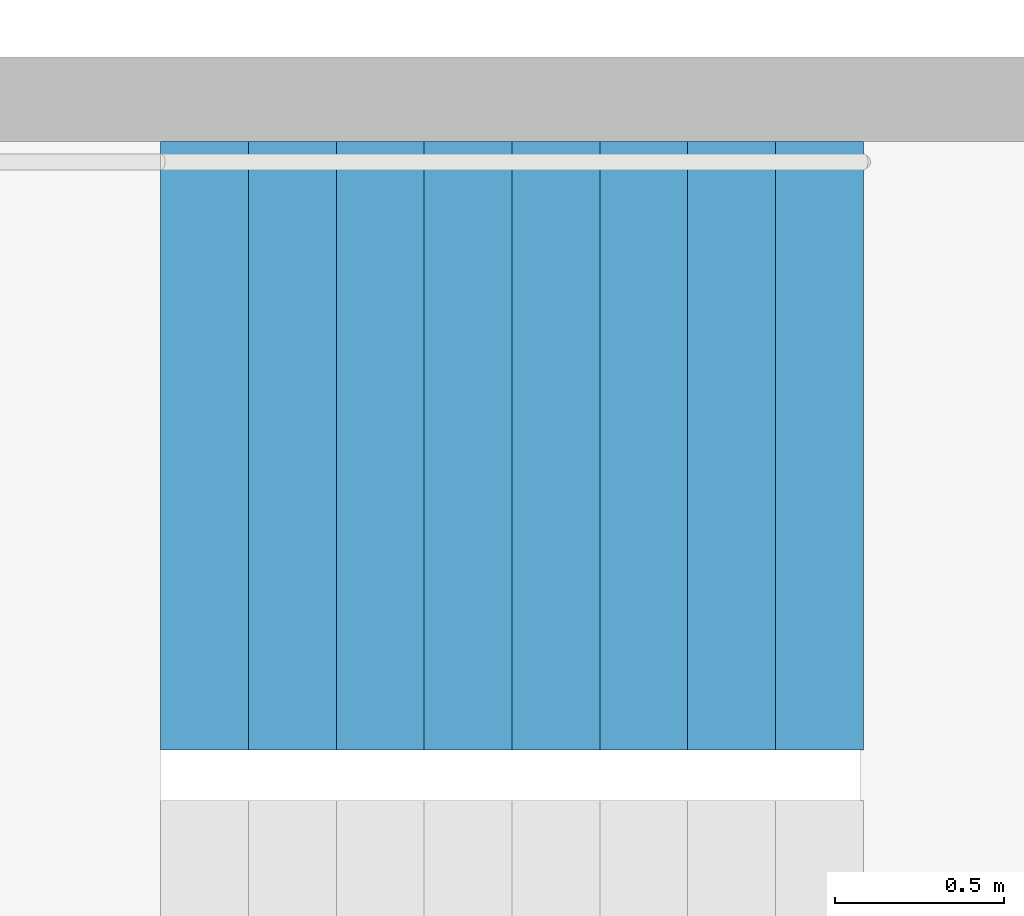
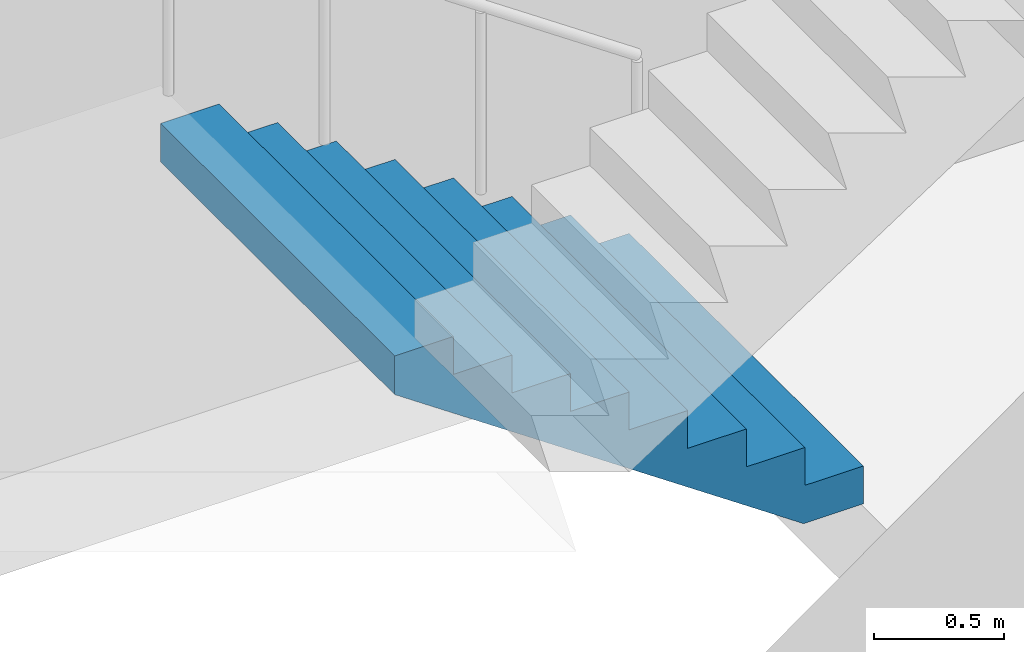
# One storey, part 17 of 28: 1 stair flight, 1 element without a shape of its own.
"""IFC4 building model written with IfcOpenShell, lengths in metres."""

from ifc_helpers import new_model, si_unit, direction, frame, origin, place, context, subcontext, project, spatial, triangles, material, type_object, element, aggregate, save


model = new_model("IFC4")

# Units and contexts
model_context = context("Model", 3, precision=1e-05, world=origin(), true_north=direction((0.0, 1.0)))
body_context = subcontext(model_context, "Body", "Model", "MODEL_VIEW")
ifc_project = project(units=[si_unit("LENGTHUNIT", "METRE"), si_unit("AREAUNIT", "SQUARE_METRE"), si_unit("VOLUMEUNIT", "CUBIC_METRE"), si_unit("PLANEANGLEUNIT", "RADIAN"), si_unit("MASSUNIT", "GRAM", prefix="KILO")], contexts=[model_context])

# Site, building, storey
site_placement = place(None, origin())
site = spatial("IfcSite", under=ifc_project, at=site_placement, CompositionType="ELEMENT")
building_placement = place(site_placement, origin())
building = spatial("IfcBuilding", under=site, at=building_placement, Name="Hakoniwa Tower and Hamabe Station Hall", CompositionType="ELEMENT")
storey_placement = place(building_placement, frame((0.0, 0.0, 193.0)))
storey = spatial("IfcBuildingStorey", under=building, at=storey_placement, Name="L54", CompositionType="ELEMENT", Elevation=193.0)

# Stair, stair flight
ifc_material_1 = material(Name="Concrete C40", Category="concrete")
stair_type = type_object("IfcStairType", Name="ESCAPE STAIR 1800", PredefinedType="HALF_TURN_STAIR", material=ifc_material_1)
stair_placement = place(storey_placement, origin())
stair = element("IfcStair", 1, at=stair_placement, inside=storey, type_object=stair_type, Name="Escape stair ST-2 L54", PredefinedType="HALF_TURN_STAIR")
ifc_material_2 = material(Name="Concrete C40", Category="concrete")
stair_flight_type = type_object("IfcStairFlightType", Name="STAIR FLIGHT 1800", PredefinedType="STRAIGHT", material=ifc_material_2)
stair_flight_placement = place(storey_placement, frame((-23.39990234375, -4.64990234375, 0.0), z_axis=(0.0, 0.0, 1.0), x_axis=(-1.0, 0.0, 0.0)))
stair_flight = element("IfcStairFlight", 2, at=stair_flight_placement, type_object=stair_flight_type, Name="ST-2 flight 1", NumberOfRisers=9, NumberOfTreads=8, PredefinedType="STRAIGHT", RiserHeight=0.177777778, TreadLength=0.26, context=body_context, shape_type="Tessellation", body=[
    triangles([(0.0, 0.89990234375, 0.0), (0.260009765625, 0.89990234375, 0.0), (0.265625, 0.89990234375, 0.0), (0.52001953125, 0.89990234375, 0.174072265625), (0.780029296875, 0.89990234375, 0.351806640625), (1.0400390625, 0.89990234375, 0.529541015625), (1.300048828125, 0.89990234375, 0.707275390625), (1.56005859375, 0.89990234375, 0.885009765625), (1.820068359375, 0.89990234375, 1.062744140625), (2.080078125, 0.89990234375, 1.24072265625), (2.080078125, 0.89990234375, 1.422119140625), (1.820068359375, 0.89990234375, 1.422119140625), (1.820068359375, 0.89990234375, 1.244384765625), (1.56005859375, 0.89990234375, 1.244384765625), (1.56005859375, 0.89990234375, 1.066650390625), (1.300048828125, 0.89990234375, 1.066650390625), (1.300048828125, 0.89990234375, 0.888916015625), (1.0400390625, 0.89990234375, 0.888916015625), (1.0400390625, 0.89990234375, 0.711181640625), (0.780029296875, 0.89990234375, 0.711181640625), (0.780029296875, 0.89990234375, 0.533447265625), (0.52001953125, 0.89990234375, 0.533447265625), (0.52001953125, 0.89990234375, 0.35546875), (0.265625, 0.89990234375, 0.35546875), (0.260009765625, 0.89990234375, 0.35546875), (0.260009765625, 0.89990234375, 0.177734375), (0.0, 0.89990234375, 0.177734375), (0.0, 0.06005859375, 0.0), (0.260009765625, 0.06005859375, 0.0), (0.265625, 0.06005859375, 0.0), (0.52001953125, 0.06005859375, 0.174072265625), (0.780029296875, 0.06005859375, 0.351806640625), (1.0400390625, 0.06005859375, 0.529541015625), (1.300048828125, 0.06005859375, 0.707275390625), (1.56005859375, 0.06005859375, 0.885009765625), (1.820068359375, 0.06005859375, 1.062744140625), (2.080078125, 0.06005859375, 1.24072265625), (2.080078125, 0.06005859375, 1.422119140625), (1.820068359375, 0.06005859375, 1.422119140625), (1.820068359375, 0.06005859375, 1.244384765625), (1.56005859375, 0.06005859375, 1.244384765625), (1.56005859375, 0.06005859375, 1.066650390625), (1.300048828125, 0.06005859375, 1.066650390625), (1.300048828125, 0.06005859375, 0.888916015625), (1.0400390625, 0.06005859375, 0.888916015625), (1.0400390625, 0.06005859375, 0.711181640625), (0.780029296875, 0.06005859375, 0.711181640625), (0.780029296875, 0.06005859375, 0.533447265625), (0.52001953125, 0.06005859375, 0.533447265625), (0.52001953125, 0.06005859375, 0.35546875), (0.265625, 0.06005859375, 0.35546875), (0.260009765625, 0.06005859375, 0.35546875), (0.260009765625, 0.06005859375, 0.177734375), (0.0, 0.06005859375, 0.177734375), (0.0, 0.04296875, 0.0), (0.260009765625, 0.04296875, 0.0), (0.265625, 0.04296875, 0.0), (0.52001953125, 0.04296875, 0.174072265625), (0.780029296875, 0.04296875, 0.351806640625), (1.0400390625, 0.04296875, 0.529541015625), (1.300048828125, 0.04296875, 0.707275390625), (1.56005859375, 0.04296875, 0.885009765625), (1.820068359375, 0.04296875, 1.062744140625), (2.080078125, 0.04296875, 1.24072265625), (2.080078125, 0.04296875, 1.422119140625), (1.820068359375, 0.04296875, 1.422119140625), (1.820068359375, 0.04296875, 1.244384765625), (1.56005859375, 0.04296875, 1.244384765625), (1.56005859375, 0.04296875, 1.066650390625), (1.300048828125, 0.04296875, 1.066650390625), (1.300048828125, 0.04296875, 0.888916015625), (1.0400390625, 0.04296875, 0.888916015625), (1.0400390625, 0.04296875, 0.711181640625), (0.780029296875, 0.04296875, 0.711181640625), (0.780029296875, 0.04296875, 0.533447265625), (0.52001953125, 0.04296875, 0.533447265625), (0.52001953125, 0.04296875, 0.35546875), (0.265625, 0.04296875, 0.35546875), (0.260009765625, 0.04296875, 0.35546875), (0.260009765625, 0.04296875, 0.177734375), (0.0, 0.04296875, 0.177734375), (0.0, 0.025634765625, 0.0), (0.260009765625, 0.025634765625, 0.0), (0.265625, 0.025634765625, 0.0), (0.52001953125, 0.025634765625, 0.174072265625), (0.780029296875, 0.025634765625, 0.351806640625), (1.0400390625, 0.025634765625, 0.529541015625), (1.300048828125, 0.025634765625, 0.707275390625), (1.56005859375, 0.025634765625, 0.885009765625), (1.820068359375, 0.025634765625, 1.062744140625), (2.080078125, 0.025634765625, 1.24072265625), (2.080078125, 0.025634765625, 1.422119140625), (1.820068359375, 0.025634765625, 1.422119140625), (1.820068359375, 0.025634765625, 1.244384765625), (1.56005859375, 0.025634765625, 1.244384765625), (1.56005859375, 0.025634765625, 1.066650390625), (1.300048828125, 0.025634765625, 1.066650390625), (1.300048828125, 0.025634765625, 0.888916015625), (1.0400390625, 0.025634765625, 0.888916015625), (1.0400390625, 0.025634765625, 0.711181640625), (0.780029296875, 0.025634765625, 0.711181640625), (0.780029296875, 0.025634765625, 0.533447265625), (0.52001953125, 0.025634765625, 0.533447265625), (0.52001953125, 0.025634765625, 0.35546875), (0.265625, 0.025634765625, 0.35546875), (0.260009765625, 0.025634765625, 0.35546875), (0.260009765625, 0.025634765625, 0.177734375), (0.0, 0.025634765625, 0.177734375), (0.0, 0.008544921875, 0.0), (0.260009765625, 0.008544921875, 0.0), (0.265625, 0.008544921875, 0.0), (0.52001953125, 0.008544921875, 0.174072265625), (0.780029296875, 0.008544921875, 0.351806640625), (1.0400390625, 0.008544921875, 0.529541015625), (1.300048828125, 0.008544921875, 0.707275390625), (1.56005859375, 0.008544921875, 0.885009765625), (1.820068359375, 0.008544921875, 1.062744140625), (2.080078125, 0.008544921875, 1.24072265625), (2.080078125, 0.008544921875, 1.422119140625), (1.820068359375, 0.008544921875, 1.422119140625), (1.820068359375, 0.008544921875, 1.244384765625), (1.56005859375, 0.008544921875, 1.244384765625), (1.56005859375, 0.008544921875, 1.066650390625), (1.300048828125, 0.008544921875, 1.066650390625), (1.300048828125, 0.008544921875, 0.888916015625), (1.0400390625, 0.008544921875, 0.888916015625), (1.0400390625, 0.008544921875, 0.711181640625), (0.780029296875, 0.008544921875, 0.711181640625), (0.780029296875, 0.008544921875, 0.533447265625), (0.52001953125, 0.008544921875, 0.533447265625), (0.52001953125, 0.008544921875, 0.35546875), (0.265625, 0.008544921875, 0.35546875), (0.260009765625, 0.008544921875, 0.35546875), (0.260009765625, 0.008544921875, 0.177734375), (0.0, 0.008544921875, 0.177734375), (0.0, -0.008544921875, 0.0), (0.260009765625, -0.008544921875, 0.0), (0.265625, -0.008544921875, 0.0), (0.52001953125, -0.008544921875, 0.174072265625), (0.780029296875, -0.008544921875, 0.351806640625), (1.0400390625, -0.008544921875, 0.529541015625), (1.300048828125, -0.008544921875, 0.707275390625), (1.56005859375, -0.008544921875, 0.885009765625), (1.820068359375, -0.008544921875, 1.062744140625), (2.080078125, -0.008544921875, 1.24072265625), (2.080078125, -0.008544921875, 1.422119140625), (1.820068359375, -0.008544921875, 1.422119140625), (1.820068359375, -0.008544921875, 1.244384765625), (1.56005859375, -0.008544921875, 1.244384765625), (1.56005859375, -0.008544921875, 1.066650390625), (1.300048828125, -0.008544921875, 1.066650390625), (1.300048828125, -0.008544921875, 0.888916015625), (1.0400390625, -0.008544921875, 0.888916015625), (1.0400390625, -0.008544921875, 0.711181640625), (0.780029296875, -0.008544921875, 0.711181640625), (0.780029296875, -0.008544921875, 0.533447265625), (0.52001953125, -0.008544921875, 0.533447265625), (0.52001953125, -0.008544921875, 0.35546875), (0.265625, -0.008544921875, 0.35546875), (0.260009765625, -0.008544921875, 0.35546875), (0.260009765625, -0.008544921875, 0.177734375), (0.0, -0.008544921875, 0.177734375), (0.0, -0.025634765625, 0.0), (0.260009765625, -0.025634765625, 0.0), (0.265625, -0.025634765625, 0.0), (0.52001953125, -0.025634765625, 0.174072265625), (0.780029296875, -0.025634765625, 0.351806640625), (1.0400390625, -0.025634765625, 0.529541015625), (1.300048828125, -0.025634765625, 0.707275390625), (1.56005859375, -0.025634765625, 0.885009765625), (1.820068359375, -0.025634765625, 1.062744140625), (2.080078125, -0.025634765625, 1.24072265625), (2.080078125, -0.025634765625, 1.422119140625), (1.820068359375, -0.025634765625, 1.422119140625), (1.820068359375, -0.025634765625, 1.244384765625), (1.56005859375, -0.025634765625, 1.244384765625), (1.56005859375, -0.025634765625, 1.066650390625), (1.300048828125, -0.025634765625, 1.066650390625), (1.300048828125, -0.025634765625, 0.888916015625), (1.0400390625, -0.025634765625, 0.888916015625), (1.0400390625, -0.025634765625, 0.711181640625), (0.780029296875, -0.025634765625, 0.711181640625), (0.780029296875, -0.025634765625, 0.533447265625), (0.52001953125, -0.025634765625, 0.533447265625), (0.52001953125, -0.025634765625, 0.35546875), (0.265625, -0.025634765625, 0.35546875), (0.260009765625, -0.025634765625, 0.35546875), (0.260009765625, -0.025634765625, 0.177734375), (0.0, -0.025634765625, 0.177734375), (0.0, -0.04296875, 0.0), (0.260009765625, -0.04296875, 0.0), (0.265625, -0.04296875, 0.0), (0.52001953125, -0.04296875, 0.174072265625), (0.780029296875, -0.04296875, 0.351806640625), (1.0400390625, -0.04296875, 0.529541015625), (1.300048828125, -0.04296875, 0.707275390625), (1.56005859375, -0.04296875, 0.885009765625), (1.820068359375, -0.04296875, 1.062744140625), (2.080078125, -0.04296875, 1.24072265625), (2.080078125, -0.04296875, 1.422119140625), (1.820068359375, -0.04296875, 1.422119140625), (1.820068359375, -0.04296875, 1.244384765625), (1.56005859375, -0.04296875, 1.244384765625), (1.56005859375, -0.04296875, 1.066650390625), (1.300048828125, -0.04296875, 1.066650390625), (1.300048828125, -0.04296875, 0.888916015625), (1.0400390625, -0.04296875, 0.888916015625), (1.0400390625, -0.04296875, 0.711181640625), (0.780029296875, -0.04296875, 0.711181640625), (0.780029296875, -0.04296875, 0.533447265625), (0.52001953125, -0.04296875, 0.533447265625), (0.52001953125, -0.04296875, 0.35546875), (0.265625, -0.04296875, 0.35546875), (0.260009765625, -0.04296875, 0.35546875), (0.260009765625, -0.04296875, 0.177734375), (0.0, -0.04296875, 0.177734375), (0.0, -0.06005859375, 0.0), (0.260009765625, -0.06005859375, 0.0), (0.265625, -0.06005859375, 0.0), (0.52001953125, -0.06005859375, 0.174072265625), (0.780029296875, -0.06005859375, 0.351806640625), (1.0400390625, -0.06005859375, 0.529541015625), (1.300048828125, -0.06005859375, 0.707275390625), (1.56005859375, -0.06005859375, 0.885009765625), (1.820068359375, -0.06005859375, 1.062744140625), (2.080078125, -0.06005859375, 1.24072265625), (2.080078125, -0.06005859375, 1.422119140625), (1.820068359375, -0.06005859375, 1.422119140625), (1.820068359375, -0.06005859375, 1.244384765625), (1.56005859375, -0.06005859375, 1.244384765625), (1.56005859375, -0.06005859375, 1.066650390625), (1.300048828125, -0.06005859375, 1.066650390625), (1.300048828125, -0.06005859375, 0.888916015625), (1.0400390625, -0.06005859375, 0.888916015625), (1.0400390625, -0.06005859375, 0.711181640625), (0.780029296875, -0.06005859375, 0.711181640625), (0.780029296875, -0.06005859375, 0.533447265625), (0.52001953125, -0.06005859375, 0.533447265625), (0.52001953125, -0.06005859375, 0.35546875), (0.265625, -0.06005859375, 0.35546875), (0.260009765625, -0.06005859375, 0.35546875), (0.260009765625, -0.06005859375, 0.177734375), (0.0, -0.06005859375, 0.177734375), (0.0, -0.89990234375, 0.0), (0.260009765625, -0.89990234375, 0.0), (0.265625, -0.89990234375, 0.0), (0.52001953125, -0.89990234375, 0.174072265625), (0.780029296875, -0.89990234375, 0.351806640625), (1.0400390625, -0.89990234375, 0.529541015625), (1.300048828125, -0.89990234375, 0.707275390625), (1.56005859375, -0.89990234375, 0.885009765625), (1.820068359375, -0.89990234375, 1.062744140625), (2.080078125, -0.89990234375, 1.24072265625), (2.080078125, -0.89990234375, 1.422119140625), (1.820068359375, -0.89990234375, 1.422119140625), (1.820068359375, -0.89990234375, 1.244384765625), (1.56005859375, -0.89990234375, 1.244384765625), (1.56005859375, -0.89990234375, 1.066650390625), (1.300048828125, -0.89990234375, 1.066650390625), (1.300048828125, -0.89990234375, 0.888916015625), (1.0400390625, -0.89990234375, 0.888916015625), (1.0400390625, -0.89990234375, 0.711181640625), (0.780029296875, -0.89990234375, 0.711181640625), (0.780029296875, -0.89990234375, 0.533447265625), (0.52001953125, -0.89990234375, 0.533447265625), (0.52001953125, -0.89990234375, 0.35546875), (0.265625, -0.89990234375, 0.35546875), (0.260009765625, -0.89990234375, 0.35546875), (0.260009765625, -0.89990234375, 0.177734375), (0.0, -0.89990234375, 0.177734375)], [[2, 27, 26], [245, 269, 270], [2, 1, 27], [245, 270, 244], [3, 25, 24], [246, 267, 268], [3, 26, 25], [246, 268, 269], [3, 2, 26], [246, 269, 245], [4, 24, 23], [247, 266, 267], [4, 3, 24], [247, 267, 246], [5, 22, 21], [248, 264, 265], [5, 23, 22], [248, 265, 266], [5, 4, 23], [248, 266, 247], [6, 20, 19], [249, 262, 263], [6, 21, 20], [249, 263, 264], [6, 5, 21], [249, 264, 248], [7, 18, 17], [250, 260, 261], [7, 19, 18], [250, 261, 262], [7, 6, 19], [250, 262, 249], [8, 16, 15], [251, 258, 259], [8, 17, 16], [251, 259, 260], [8, 7, 17], [251, 260, 250], [9, 14, 13], [252, 256, 257], [9, 15, 14], [252, 257, 258], [9, 8, 15], [252, 258, 251], [10, 12, 11], [253, 254, 255], [10, 13, 12], [253, 255, 256], [10, 9, 13], [253, 256, 252], [1, 2, 29], [1, 29, 28], [28, 29, 56], [28, 56, 55], [55, 56, 83], [55, 83, 82], [82, 83, 110], [82, 110, 109], [109, 110, 137], [109, 137, 136], [136, 137, 164], [136, 164, 163], [163, 164, 191], [163, 191, 190], [190, 191, 218], [190, 218, 217], [217, 218, 245], [217, 245, 244], [2, 3, 30], [2, 30, 29], [29, 30, 57], [29, 57, 56], [56, 57, 84], [56, 84, 83], [83, 84, 111], [83, 111, 110], [110, 111, 138], [110, 138, 137], [137, 138, 165], [137, 165, 164], [164, 165, 192], [164, 192, 191], [191, 192, 219], [191, 219, 218], [218, 219, 246], [218, 246, 245], [3, 4, 31], [3, 31, 30], [30, 31, 58], [30, 58, 57], [57, 58, 85], [57, 85, 84], [84, 85, 112], [84, 112, 111], [111, 112, 139], [111, 139, 138], [138, 139, 166], [138, 166, 165], [165, 166, 193], [165, 193, 192], [192, 193, 220], [192, 220, 219], [219, 220, 247], [219, 247, 246], [4, 5, 32], [4, 32, 31], [31, 32, 59], [31, 59, 58], [58, 59, 86], [58, 86, 85], [85, 86, 113], [85, 113, 112], [112, 113, 140], [112, 140, 139], [139, 140, 167], [139, 167, 166], [166, 167, 194], [166, 194, 193], [193, 194, 221], [193, 221, 220], [220, 221, 248], [220, 248, 247], [5, 6, 33], [5, 33, 32], [32, 33, 60], [32, 60, 59], [59, 60, 87], [59, 87, 86], [86, 87, 114], [86, 114, 113], [113, 114, 141], [113, 141, 140], [140, 141, 168], [140, 168, 167], [167, 168, 195], [167, 195, 194], [194, 195, 222], [194, 222, 221], [221, 222, 249], [221, 249, 248], [6, 7, 34], [6, 34, 33], [33, 34, 61], [33, 61, 60], [60, 61, 88], [60, 88, 87], [87, 88, 115], [87, 115, 114], [114, 115, 142], [114, 142, 141], [141, 142, 169], [141, 169, 168], [168, 169, 196], [168, 196, 195], [195, 196, 223], [195, 223, 222], [222, 223, 250], [222, 250, 249], [7, 8, 35], [7, 35, 34], [34, 35, 62], [34, 62, 61], [61, 62, 89], [61, 89, 88], [88, 89, 116], [88, 116, 115], [115, 116, 143], [115, 143, 142], [142, 143, 170], [142, 170, 169], [169, 170, 197], [169, 197, 196], [196, 197, 224], [196, 224, 223], [223, 224, 251], [223, 251, 250], [8, 9, 36], [8, 36, 35], [35, 36, 63], [35, 63, 62], [62, 63, 90], [62, 90, 89], [89, 90, 117], [89, 117, 116], [116, 117, 144], [116, 144, 143], [143, 144, 171], [143, 171, 170], [170, 171, 198], [170, 198, 197], [197, 198, 225], [197, 225, 224], [224, 225, 252], [224, 252, 251], [9, 10, 37], [9, 37, 36], [36, 37, 64], [36, 64, 63], [63, 64, 91], [63, 91, 90], [90, 91, 118], [90, 118, 117], [117, 118, 145], [117, 145, 144], [144, 145, 172], [144, 172, 171], [171, 172, 199], [171, 199, 198], [198, 199, 226], [198, 226, 225], [225, 226, 253], [225, 253, 252], [10, 11, 38], [10, 38, 37], [37, 38, 65], [37, 65, 64], [64, 65, 92], [64, 92, 91], [91, 92, 119], [91, 119, 118], [118, 119, 146], [118, 146, 145], [145, 146, 173], [145, 173, 172], [172, 173, 200], [172, 200, 199], [199, 200, 227], [199, 227, 226], [226, 227, 254], [226, 254, 253], [11, 12, 39], [11, 39, 38], [38, 39, 66], [38, 66, 65], [65, 66, 93], [65, 93, 92], [92, 93, 120], [92, 120, 119], [119, 120, 147], [119, 147, 146], [146, 147, 174], [146, 174, 173], [173, 174, 201], [173, 201, 200], [200, 201, 228], [200, 228, 227], [227, 228, 255], [227, 255, 254], [12, 13, 40], [12, 40, 39], [39, 40, 67], [39, 67, 66], [66, 67, 94], [66, 94, 93], [93, 94, 121], [93, 121, 120], [120, 121, 148], [120, 148, 147], [147, 148, 175], [147, 175, 174], [174, 175, 202], [174, 202, 201], [201, 202, 229], [201, 229, 228], [228, 229, 256], [228, 256, 255], [13, 14, 41], [13, 41, 40], [40, 41, 68], [40, 68, 67], [67, 68, 95], [67, 95, 94], [94, 95, 122], [94, 122, 121], [121, 122, 149], [121, 149, 148], [148, 149, 176], [148, 176, 175], [175, 176, 203], [175, 203, 202], [202, 203, 230], [202, 230, 229], [229, 230, 257], [229, 257, 256], [14, 15, 42], [14, 42, 41], [41, 42, 69], [41, 69, 68], [68, 69, 96], [68, 96, 95], [95, 96, 123], [95, 123, 122], [122, 123, 150], [122, 150, 149], [149, 150, 177], [149, 177, 176], [176, 177, 204], [176, 204, 203], [203, 204, 231], [203, 231, 230], [230, 231, 258], [230, 258, 257], [15, 16, 43], [15, 43, 42], [42, 43, 70], [42, 70, 69], [69, 70, 97], [69, 97, 96], [96, 97, 124], [96, 124, 123], [123, 124, 151], [123, 151, 150], [150, 151, 178], [150, 178, 177], [177, 178, 205], [177, 205, 204], [204, 205, 232], [204, 232, 231], [231, 232, 259], [231, 259, 258], [16, 17, 44], [16, 44, 43], [43, 44, 71], [43, 71, 70], [70, 71, 98], [70, 98, 97], [97, 98, 125], [97, 125, 124], [124, 125, 152], [124, 152, 151], [151, 152, 179], [151, 179, 178], [178, 179, 206], [178, 206, 205], [205, 206, 233], [205, 233, 232], [232, 233, 260], [232, 260, 259], [17, 18, 45], [17, 45, 44], [44, 45, 72], [44, 72, 71], [71, 72, 99], [71, 99, 98], [98, 99, 126], [98, 126, 125], [125, 126, 153], [125, 153, 152], [152, 153, 180], [152, 180, 179], [179, 180, 207], [179, 207, 206], [206, 207, 234], [206, 234, 233], [233, 234, 261], [233, 261, 260], [18, 19, 46], [18, 46, 45], [45, 46, 73], [45, 73, 72], [72, 73, 100], [72, 100, 99], [99, 100, 127], [99, 127, 126], [126, 127, 154], [126, 154, 153], [153, 154, 181], [153, 181, 180], [180, 181, 208], [180, 208, 207], [207, 208, 235], [207, 235, 234], [234, 235, 262], [234, 262, 261], [19, 20, 47], [19, 47, 46], [46, 47, 74], [46, 74, 73], [73, 74, 101], [73, 101, 100], [100, 101, 128], [100, 128, 127], [127, 128, 155], [127, 155, 154], [154, 155, 182], [154, 182, 181], [181, 182, 209], [181, 209, 208], [208, 209, 236], [208, 236, 235], [235, 236, 263], [235, 263, 262], [20, 21, 48], [20, 48, 47], [47, 48, 75], [47, 75, 74], [74, 75, 102], [74, 102, 101], [101, 102, 129], [101, 129, 128], [128, 129, 156], [128, 156, 155], [155, 156, 183], [155, 183, 182], [182, 183, 210], [182, 210, 209], [209, 210, 237], [209, 237, 236], [236, 237, 264], [236, 264, 263], [21, 22, 49], [21, 49, 48], [48, 49, 76], [48, 76, 75], [75, 76, 103], [75, 103, 102], [102, 103, 130], [102, 130, 129], [129, 130, 157], [129, 157, 156], [156, 157, 184], [156, 184, 183], [183, 184, 211], [183, 211, 210], [210, 211, 238], [210, 238, 237], [237, 238, 265], [237, 265, 264], [22, 23, 50], [22, 50, 49], [49, 50, 77], [49, 77, 76], [76, 77, 104], [76, 104, 103], [103, 104, 131], [103, 131, 130], [130, 131, 158], [130, 158, 157], [157, 158, 185], [157, 185, 184], [184, 185, 212], [184, 212, 211], [211, 212, 239], [211, 239, 238], [238, 239, 266], [238, 266, 265], [23, 24, 51], [23, 51, 50], [50, 51, 78], [50, 78, 77], [77, 78, 105], [77, 105, 104], [104, 105, 132], [104, 132, 131], [131, 132, 159], [131, 159, 158], [158, 159, 186], [158, 186, 185], [185, 186, 213], [185, 213, 212], [212, 213, 240], [212, 240, 239], [239, 240, 267], [239, 267, 266], [24, 25, 52], [24, 52, 51], [51, 52, 79], [51, 79, 78], [78, 79, 106], [78, 106, 105], [105, 106, 133], [105, 133, 132], [132, 133, 160], [132, 160, 159], [159, 160, 187], [159, 187, 186], [186, 187, 214], [186, 214, 213], [213, 214, 241], [213, 241, 240], [240, 241, 268], [240, 268, 267], [25, 26, 53], [25, 53, 52], [52, 53, 80], [52, 80, 79], [79, 80, 107], [79, 107, 106], [106, 107, 134], [106, 134, 133], [133, 134, 161], [133, 161, 160], [160, 161, 188], [160, 188, 187], [187, 188, 215], [187, 215, 214], [214, 215, 242], [214, 242, 241], [241, 242, 269], [241, 269, 268], [26, 27, 54], [26, 54, 53], [53, 54, 81], [53, 81, 80], [80, 81, 108], [80, 108, 107], [107, 108, 135], [107, 135, 134], [134, 135, 162], [134, 162, 161], [161, 162, 189], [161, 189, 188], [188, 189, 216], [188, 216, 215], [215, 216, 243], [215, 243, 242], [242, 243, 270], [242, 270, 269], [27, 1, 28], [27, 28, 54], [54, 28, 55], [54, 55, 81], [81, 55, 82], [81, 82, 108], [108, 82, 109], [108, 109, 135], [135, 109, 136], [135, 136, 162], [162, 136, 163], [162, 163, 189], [189, 163, 190], [189, 190, 216], [216, 190, 217], [216, 217, 243], [243, 217, 244], [243, 244, 270]], closed=True),
])
aggregate(stair, [stair_flight])

save(model, "model.ifc")
